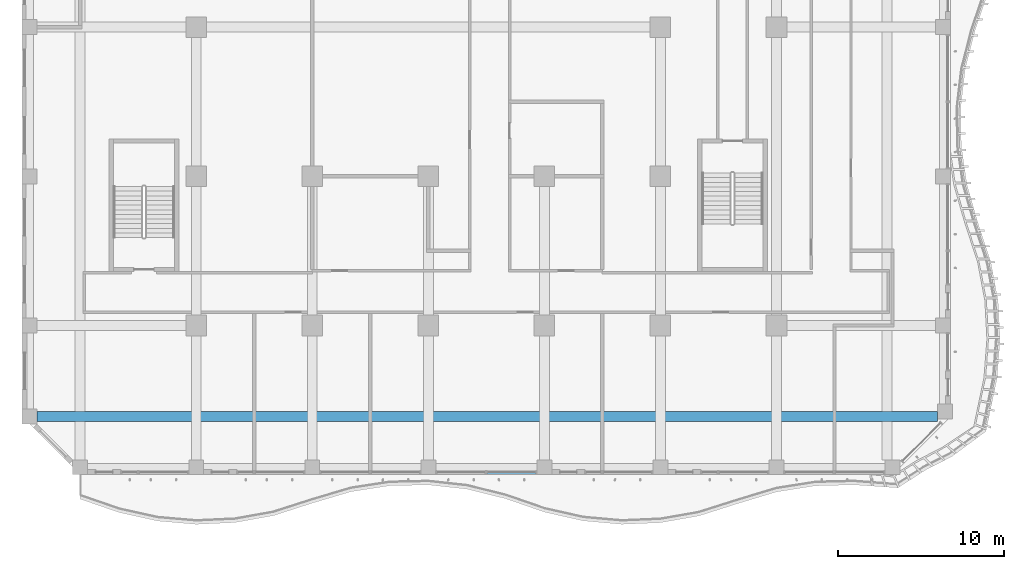
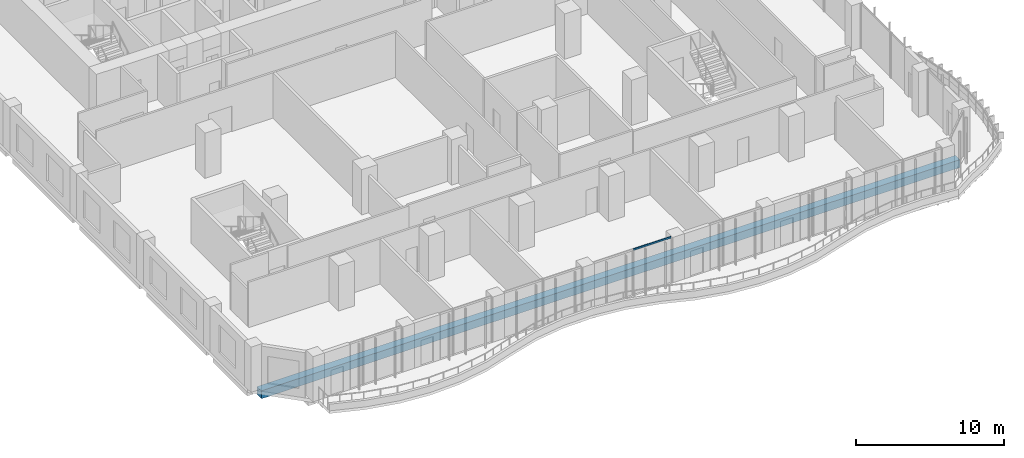
# One storey, part 3 of 28: 1 beam, 1 member, 1 element without a shape of its own.
"""IFC4 building model written with IfcOpenShell, lengths in metres."""

from ifc_helpers import new_model, si_unit, direction, frame, origin, origin_2d, place, context, subcontext, project, spatial, rectangle, extrude, source, transform, mapped, material, material_profile, profile_set, type_object, element, aggregate, save


model = new_model("IFC4")

# Units and contexts
model_context = context("Model", 3, precision=1e-05, world=origin(), true_north=direction((0.0, 1.0)))
body_context = subcontext(model_context, "Body", "Model", "MODEL_VIEW")
ifc_project = project(units=[si_unit("LENGTHUNIT", "METRE"), si_unit("AREAUNIT", "SQUARE_METRE"), si_unit("VOLUMEUNIT", "CUBIC_METRE"), si_unit("PLANEANGLEUNIT", "RADIAN"), si_unit("MASSUNIT", "GRAM", prefix="KILO")], contexts=[model_context])

# Site, building, storey
site_placement = place(None, origin())
site = spatial("IfcSite", under=ifc_project, at=site_placement, CompositionType="ELEMENT")
building_placement = place(site_placement, origin())
building = spatial("IfcBuilding", under=site, at=building_placement, Name="Kilnfold Tower and Market Hall", CompositionType="ELEMENT")
storey_placement = place(building_placement, frame((0.0, 0.0, 75.199951171875)))
storey = spatial("IfcBuildingStorey", under=building, at=storey_placement, Name="L17", CompositionType="ELEMENT", Elevation=75.199951171875)

# Beam
ifc_material_1 = material(Name="Concrete C45", Category="concrete")
ifc_material_profile_1 = material_profile(ifc_material_1, rectangle(XDim=0.60009765625, YDim=0.64990234375, at=origin_2d()), Name="RC 600x650")
ifc_profile_set_1 = profile_set([ifc_material_profile_1], Name="Concrete C45")
beam_type = type_object("IfcBeamType", Name="BEAM 600X650 C45", PredefinedType="BEAM", material=ifc_profile_set_1)
shared_shape_1 = source(origin(), body_context, "Body", "SweptSolid", [
    extrude(rectangle(XDim=0.60009765625, YDim=0.64990234375, at=origin_2d()), origin(), (0.0, 0.0, 1.0), 54.331787109375),
])
beam_placement = place(storey_placement, frame((-22.10009765625, -24.5, -0.60498046875), z_axis=(1.0, 0.0, 0.0), x_axis=(0.0, 1.0, 0.0)))
element("IfcBeam", 1, at=beam_placement, inside=storey, type_object=beam_type, Name="Beam BB650-B2.67", PredefinedType="BEAM", context=body_context, shape_type="MappedRepresentation", body=[
    mapped(shared_shape_1, transform((0.0, 0.0, 0.0))),
])

# Curtain wall, member
ifc_material_2 = material(Name="Aluminium and double glazing", Category="aluminium")
curtain_wall_type = type_object("IfcCurtainWallType", Name="CW OF1 VALLEY GLAZING", PredefinedType="NOTDEFINED", material=ifc_material_2)
curtain_wall_placement = place(storey_placement, origin())
curtain_wall = element("IfcCurtainWall", 2, at=curtain_wall_placement, inside=storey, type_object=curtain_wall_type, Name="Curtain wall CW1 L17 S", PredefinedType="NOTDEFINED")
ifc_material_3 = material(Name="Aluminium", Category="aluminium")
ifc_material_profile_2 = material_profile(ifc_material_3, rectangle(XDim=0.06005859375, YDim=0.139892578125, at=origin_2d()), Name="TRANSOM 60x140")
ifc_profile_set_2 = profile_set([ifc_material_profile_2], Name="Aluminium")
member_type = type_object("IfcMemberType", Name="TRANSOM 60X140", PredefinedType="USERDEFINED", material=ifc_profile_set_2)
shared_shape_2 = source(origin(), body_context, "Body", "SweptSolid", [
    extrude(rectangle(XDim=0.06005859375, YDim=0.139892578125, at=origin_2d()), origin(), (0.0, 0.0, 1.0), 2.929931640625),
])
member_placement = place(storey_placement, frame((5.06005859375, -27.85009765625, 3.68994140625), z_axis=(1.0, 0.0, 0.0), x_axis=(0.0, 1.0, 0.0)))
member = element("IfcMember", 3, at=member_placement, type_object=member_type, Name="CW1 transom 1.2", ObjectType="TRANSOM", PredefinedType="USERDEFINED", context=body_context, shape_type="MappedRepresentation", body=[
    mapped(shared_shape_2, transform((0.0, 0.0, 0.0))),
])
aggregate(curtain_wall, [member])

save(model, "model.ifc")
